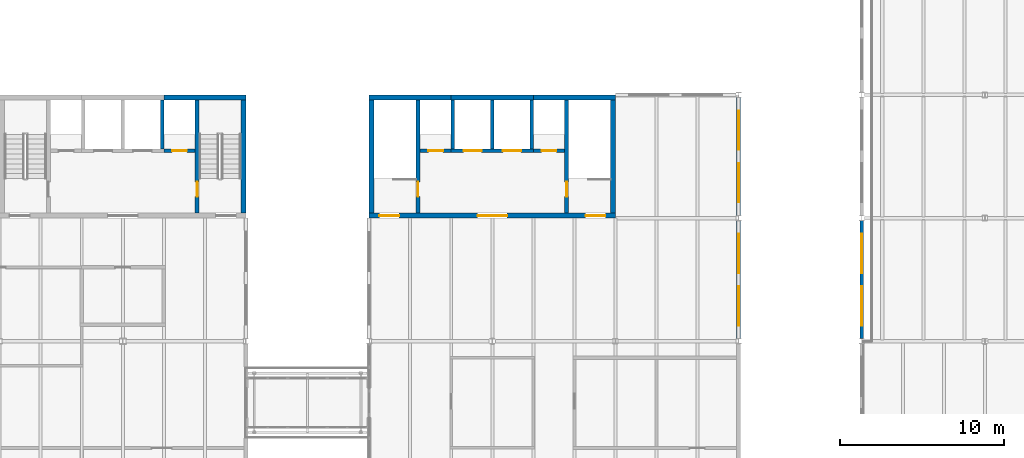
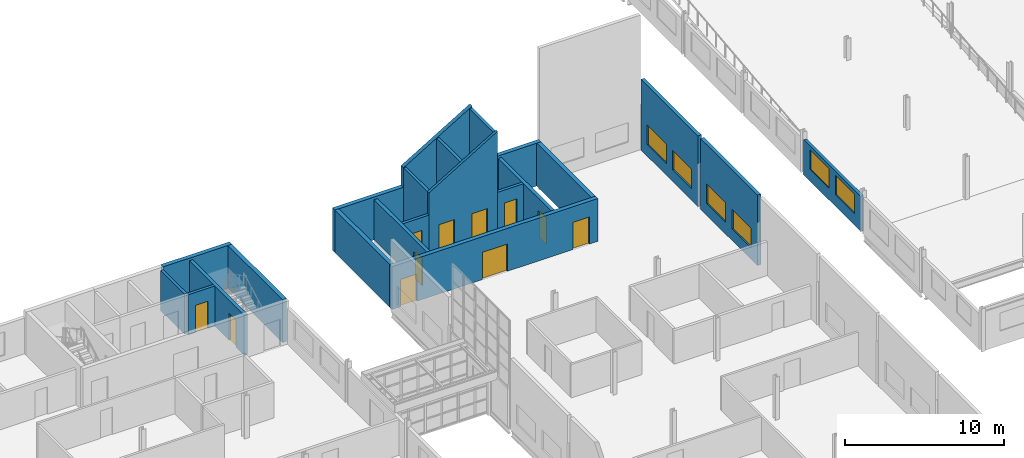
# One storey, part 54 of 198: 22 walls, 11 doors, 6 windows, 17 openings.
"""IFC4 building model written with IfcOpenShell, lengths in metres."""

import ifcopenshell
import ifcopenshell.guid

model = None  # the IFC model being written
_history = None  # IfcOwnerHistory: only IFC2X3 demands one
_inside = {}  # id of a spatial element -> (the spatial element, [elements in it])
_under = {}  # id of a project, library or spatial element -> (it, [spatial elements below it])
_declared = {}  # id of a project -> (the project, [libraries it declares])
_typed = {}  # id of a type object -> (the type object, [elements of that type])
_made_of = {}  # id of a material, layer set ... -> (it, [elements and type objects made of it])


def new_model(schema):
    """Start an empty IFC model of exactly this schema.

    Asked for "IFC4X3", IfcOpenShell would pick the latest addendum, in which some entities
    have other attributes; the version numbers below select the first issue.
    IFC2X3 requires an IfcOwnerHistory on every rooted entity: one is made here for all.
    """
    global model, _history
    if schema == "IFC4X3":
        model = ifcopenshell.file(schema_version=(4, 3, 0, 0))
    else:
        model = ifcopenshell.file(schema=schema)
    _inside.clear()
    _under.clear()
    _declared.clear()
    _typed.clear()
    _made_of.clear()
    _history = None
    if model.schema == "IFC2X3":
        org = make("IfcOrganization", Name="unknown")
        user = make(
            "IfcPersonAndOrganization",
            ThePerson=make("IfcPerson", FamilyName="unknown"),
            TheOrganization=org,
        )
        app = make(
            "IfcApplication",
            ApplicationDeveloper=org,
            Version="unknown",
            ApplicationFullName="unknown",
            ApplicationIdentifier="unknown",
        )
        _history = make(
            "IfcOwnerHistory",
            OwningUser=user,
            OwningApplication=app,
            ChangeAction="ADDED",
            CreationDate=0,
        )
    return model


def make(cls, **values):
    """One entity of the class cls with the attributes given. An attribute that is None is left unset."""
    return model.create_entity(
        cls, **{name: value for name, value in values.items() if value is not None}
    )


def rooted(cls, **values):
    """An entity with a GlobalId (a new one), such as an element, a storey or a relation."""
    return make(cls, GlobalId=ifcopenshell.guid.new(), OwnerHistory=_history, **values)


def si_unit(unit_type, name, prefix=None):
    """IfcSIUnit, for example si_unit("LENGTHUNIT", "METRE", prefix="MILLI")."""
    return make("IfcSIUnit", UnitType=unit_type, Prefix=prefix, Name=name)


def assignment(units):
    """IfcUnitAssignment: the units of a project."""
    return None if units is None else make("IfcUnitAssignment", Units=units)


def point(xyz):
    """IfcCartesianPoint."""
    return None if xyz is None else make("IfcCartesianPoint", Coordinates=xyz)


def direction(xyz):
    """IfcDirection."""
    return None if xyz is None else make("IfcDirection", DirectionRatios=xyz)


def frame(location, z_axis=None, x_axis=None):
    """IfcAxis2Placement3D, a coordinate frame: its origin and axes. An axis left out is left unset."""
    return make(
        "IfcAxis2Placement3D",
        Location=point(location),
        Axis=direction(z_axis),
        RefDirection=direction(x_axis),
    )


def frame_2d(location, x_axis=None):
    """IfcAxis2Placement2D, a coordinate frame in the plane: its origin and x axis."""
    return make(
        "IfcAxis2Placement2D", Location=point(location), RefDirection=direction(x_axis)
    )


def origin():
    """The frame at (0, 0, 0) with its axes left unset."""
    return frame((0.0, 0.0, 0.0))


def place(relative_to, where):
    """IfcLocalPlacement: puts the frame where relative to a parent placement (None: the world)."""
    return make(
        "IfcLocalPlacement", PlacementRelTo=relative_to, RelativePlacement=where
    )


def context(
    kind, dimensions, precision=None, world=None, true_north=None, identifier=None
):
    """IfcGeometricRepresentationContext, for example the 3D "Model" context."""
    return make(
        "IfcGeometricRepresentationContext",
        ContextIdentifier=identifier,
        ContextType=kind,
        CoordinateSpaceDimension=dimensions,
        Precision=precision,
        WorldCoordinateSystem=world,
        TrueNorth=true_north,
    )


def subcontext(parent, identifier, kind, view, scale=None):
    """IfcGeometricRepresentationSubContext, for example "Body" below "Model"."""
    return make(
        "IfcGeometricRepresentationSubContext",
        ContextIdentifier=identifier,
        ContextType=kind,
        ParentContext=parent,
        TargetScale=scale,
        TargetView=view,
    )


def project(units=None, contexts=None):
    """IfcProject with its units and contexts."""
    return rooted(
        "IfcProject",
        Name="project",
        RepresentationContexts=contexts,
        UnitsInContext=assignment(units),
    )


def spatial(cls, under=None, at=None, **own):
    """A site, building, storey or space (cls), placed at a placement, below another one or the project."""
    s = rooted(cls, ObjectPlacement=at, **own)
    if under is not None:
        _under.setdefault(under.id(), (under, []))[1].append(s)
    return s


def polyline(points):
    """IfcPolyline through the points."""
    return make("IfcPolyline", Points=[point(p) for p in points])


def profile(cls, at=None, kind="AREA", **sizes):
    """A parametric profile (cls). Its sizes go by their IFC names, for example OverallWidth=200.0."""
    return make(cls, ProfileType=kind, Position=at, **sizes)


def rectangle(**sizes):
    """IfcRectangleProfileDef."""
    return profile("IfcRectangleProfileDef", **sizes)


def outline(outer, holes=None, kind="AREA"):
    """IfcArbitraryClosedProfileDef: a profile drawn as a closed curve; with holes, ...WithVoids."""
    if holes is None:
        return make("IfcArbitraryClosedProfileDef", ProfileType=kind, OuterCurve=outer)
    return make(
        "IfcArbitraryProfileDefWithVoids",
        ProfileType=kind,
        OuterCurve=outer,
        InnerCurves=holes,
    )


def extrude(swept, where, along, depth):
    """IfcExtrudedAreaSolid: the profile swept, set in the frame where, extruded along a direction by depth."""
    return make(
        "IfcExtrudedAreaSolid",
        SweptArea=swept,
        Position=where,
        ExtrudedDirection=direction(along),
        Depth=depth,
    )


def shape(context_of_items, identifier, shape_type, items):
    """IfcShapeRepresentation: the items that make up one representation, for example the "Body"."""
    return make(
        "IfcShapeRepresentation",
        ContextOfItems=context_of_items,
        RepresentationIdentifier=identifier,
        RepresentationType=shape_type,
        Items=items,
    )


def material(Name=None, Category=None):
    """IfcMaterial."""
    return make("IfcMaterial", Name=Name, Category=Category)


def layer(
    of_material, thickness, ventilated=None, Name=None, Category=None, Priority=None
):
    """IfcMaterialLayer: one layer of a wall or slab, of a material (None: an air gap)."""
    return make(
        "IfcMaterialLayer",
        Material=of_material,
        LayerThickness=thickness,
        IsVentilated=ventilated,
        Name=Name,
        Category=Category,
        Priority=Priority,
    )


def layer_set(layers, Name=None):
    """IfcMaterialLayerSet."""
    return make("IfcMaterialLayerSet", MaterialLayers=layers, LayerSetName=Name)


def made_of(thing, what):
    """Note that an element or type object is made of a material, layer set ...; save() writes the relation."""
    if what is not None:
        _made_of.setdefault(what.id(), (what, []))[1].append(thing)
    return thing


def type_object(cls, material=None, **own):
    """A type object (cls), such as IfcWallType, which elements share."""
    return made_of(rooted(cls, **own), material)


def element(
    cls,
    number,
    at=None,
    inside=None,
    cuts=None,
    type_object=None,
    material=None,
    context=None,
    identifier="Body",
    shape_type=None,
    held_by="IfcProductDefinitionShape",
    body=None,
    shapes=None,
    **own,
):
    """One element of the class cls, such as IfcWall. Its Tag is "e" and its number.

    at: its placement. inside: the storey or other place that contains it. cuts: it is an
    opening in that element (IfcRelVoidsElement). A single representation is given by context,
    identifier, shape_type and body (its items); several are given by shapes. held_by: the class
    of the entity that holds the representations. save() writes the other relations.
    """
    e = rooted(cls, Tag="e%d" % number, ObjectPlacement=at, **own)
    if body is not None:
        shapes = [shape(context, identifier, shape_type, body)]
    if shapes is not None:
        e.Representation = make(held_by, Representations=shapes)
    if inside is not None:
        _inside.setdefault(inside.id(), (inside, []))[1].append(e)
    if cuts is not None:
        rooted(
            "IfcRelVoidsElement", RelatingBuildingElement=cuts, RelatedOpeningElement=e
        )
    if type_object is not None:
        _typed.setdefault(type_object.id(), (type_object, []))[1].append(e)
    return made_of(e, material)


def fill(opening, filler):
    """IfcRelFillsElement: the door or window that sits in an opening."""
    return rooted(
        "IfcRelFillsElement",
        RelatingOpeningElement=opening,
        RelatedBuildingElement=filler,
    )


def aggregate(whole, parts):
    """IfcRelAggregates: a whole, such as a stair, and the parts it consists of."""
    return rooted("IfcRelAggregates", RelatingObject=whole, RelatedObjects=parts)


def save(model, path):
    """Write the relations noted so far, then the file.

    IfcRelAggregates (storeys below a building ...), IfcRelContainedInSpatialStructure (elements
    in a storey), IfcRelDefinesByType, IfcRelAssociatesMaterial and IfcRelDeclares: one each for
    every whole, place, type object, material and project.
    """
    for whole, parts in _under.values():
        aggregate(whole, parts)
    for where, things in _inside.values():
        rooted(
            "IfcRelContainedInSpatialStructure",
            RelatedElements=things,
            RelatingStructure=where,
        )
    for kind, things in _typed.values():
        rooted("IfcRelDefinesByType", RelatedObjects=things, RelatingType=kind)
    for what, things in _made_of.values():
        rooted("IfcRelAssociatesMaterial", RelatedObjects=things, RelatingMaterial=what)
    for by, libraries in _declared.values():
        rooted("IfcRelDeclares", RelatingContext=by, RelatedDefinitions=libraries)
    model.write(path)


model = new_model("IFC4")

# Units and contexts
model_context = context("Model", 3, precision=1e-05, world=origin(), true_north=direction((0.0, 1.0)))
body_context = subcontext(model_context, "Body", "Model", "MODEL_VIEW")
ifc_project = project(units=[si_unit("LENGTHUNIT", "METRE"), si_unit("AREAUNIT", "SQUARE_METRE"), si_unit("VOLUMEUNIT", "CUBIC_METRE"), si_unit("PLANEANGLEUNIT", "RADIAN"), si_unit("MASSUNIT", "GRAM", prefix="KILO")], contexts=[model_context])

# Site, building, storey
site_placement = place(None, origin())
site = spatial("IfcSite", under=ifc_project, at=site_placement, CompositionType="ELEMENT")
building_placement = place(site_placement, origin())
building = spatial("IfcBuilding", under=site, at=building_placement, Name="Parallax Yard Mobility Hub", CompositionType="ELEMENT")
storey_placement = place(building_placement, frame((0.0, 0.0, 6.60009765625)))
storey = spatial("IfcBuildingStorey", under=building, at=storey_placement, Name="L02", CompositionType="ELEMENT", Elevation=6.60009765625)

# Walls
ifc_material_1 = material(Name="Concrete fc' 35 MPa", Category="concrete")
ifc_layer_1 = layer(ifc_material_1, 0.300048828125)
ifc_layer_set_1 = layer_set([ifc_layer_1], Name="Concrete fc' 35 MPa core wall 300")
wall_type_1 = type_object("IfcWallType", Name="Concrete fc' 35 MPa core wall 300", PredefinedType="SHEAR", material=ifc_layer_set_1)
wall_1_placement = place(storey_placement, frame((137.5, 52.35009765625, 0.0), z_axis=(0.0, 0.0, 1.0), x_axis=(1.0, 0.0, 0.0)))
element("IfcWall", 1, at=wall_1_placement, inside=storey, type_object=wall_type_1, Name="Core C6-E back wall part 3 level L02", PredefinedType="SHEAR", context=body_context, shape_type="SweptSolid", body=[
    extrude(rectangle(XDim=5.0, YDim=0.300048828125, at=frame_2d((2.5, 0.0))), origin(), (0.0, 0.0, 1.0), 3.2998046875),
])
wall_2_placement = place(storey_placement, frame((142.35009765625, 52.199951171875, 0.0), z_axis=(0.0, 0.0, 1.0), x_axis=(0.0, -1.0, 0.0)))
element("IfcWall", 2, at=wall_2_placement, inside=storey, type_object=wall_type_1, Name="Core C6-E east-side end wall level L02", PredefinedType="SHEAR", context=body_context, shape_type="SweptSolid", body=[
    extrude(rectangle(XDim=6.89990234375, YDim=0.300048828125, at=frame_2d((3.449951171875, 0.0))), origin(), (0.0, 0.0, 1.0), 3.2998046875),
])

# Wall, openings, doors
wall_3_placement = place(storey_placement, frame((165.0, 45.14990234375, 0.0), z_axis=(0.0, 0.0, 1.0), x_axis=(-1.0, 0.0, 0.0)))
wall_3 = element("IfcWall", 3, at=wall_3_placement, inside=storey, type_object=wall_type_1, Name="Core C5 entry wall level L02", PredefinedType="SHEAR", context=body_context, shape_type="SweptSolid", body=[
    extrude(rectangle(XDim=15.0, YDim=0.300048828125, at=frame_2d((7.5, 0.0))), origin(), (0.0, 0.0, 1.0), 3.2998046875),
])
opening_1_placement = place(wall_3_placement, frame((13.179931640625, 0.0, 0.0)))
opening_1 = element("IfcOpeningElement", 4, at=opening_1_placement, cuts=wall_3, Name="Opening L02-D751", PredefinedType="OPENING", context=body_context, shape_type="SweptSolid", body=[
    extrude(rectangle(XDim=1.199951171875, YDim=2.10009765625, at=frame_2d((0.60009765625, 1.050048828125))), frame((0.0, 0.16015625, 0.0), z_axis=(0.0, -1.0, 0.0), x_axis=(1.0, 0.0, 0.0)), (0.0, 0.0, 1.0), 0.320068359375),
])
opening_2_placement = place(wall_3_placement, frame((0.6201171875, 0.0, 0.0)))
opening_2 = element("IfcOpeningElement", 5, at=opening_2_placement, cuts=wall_3, Name="Opening L02-D752", PredefinedType="OPENING", context=body_context, shape_type="SweptSolid", body=[
    extrude(rectangle(XDim=1.199951171875, YDim=2.10009765625, at=frame_2d((0.60009765625, 1.050048828125))), frame((0.0, 0.16015625, 0.0), z_axis=(0.0, -1.0, 0.0), x_axis=(1.0, 0.0, 0.0)), (0.0, 0.0, 1.0), 0.320068359375),
])
opening_3_placement = place(wall_3_placement, frame((6.60009765625, 0.0, 0.0)))
opening_3 = element("IfcOpeningElement", 6, at=opening_3_placement, cuts=wall_3, Name="Opening L02-D753", PredefinedType="OPENING", context=body_context, shape_type="SweptSolid", body=[
    extrude(rectangle(XDim=1.800048828125, YDim=2.10009765625, at=frame_2d((0.89990234375, 1.050048828125))), frame((0.0, 0.16015625, 0.0), z_axis=(0.0, -1.0, 0.0), x_axis=(1.0, 0.0, 0.0)), (0.0, 0.0, 1.0), 0.320068359375),
])
ifc_material_2 = material(Name="Hollow metal steel door and frame", Category="steel")
door_type_1 = type_object("IfcDoorType", Name="Core door 1200 x 2100 FD90", OperationType="NOTDEFINED", PredefinedType="DOOR", material=ifc_material_2)
door_1_placement = place(opening_1_placement, origin())
door_1 = element("IfcDoor", 7, at=door_1_placement, inside=storey, type_object=door_type_1, Name="Stair deck door L02-D751, core C5 level L02", OperationType="SINGLE_SWING_RIGHT", OverallHeight=2.10009765625, OverallWidth=1.199951171875, PredefinedType="DOOR", context=body_context, shape_type="SweptSolid", body=[
    extrude(rectangle(XDim=1.199951171875, YDim=2.10009765625, at=frame_2d((0.60009765625, 1.050048828125))), frame((0.0, 0.02490234375, 0.0), z_axis=(0.0, -1.0, 0.0), x_axis=(1.0, 0.0, 0.0)), (0.0, 0.0, 1.0), 0.050048828125),
])
fill(opening_1, door_1)
door_2_placement = place(opening_2_placement, origin())
door_2 = element("IfcDoor", 8, at=door_2_placement, inside=storey, type_object=door_type_1, Name="Stair deck door L02-D752, core C5 level L02", OperationType="SINGLE_SWING_LEFT", OverallHeight=2.10009765625, OverallWidth=1.199951171875, PredefinedType="DOOR", context=body_context, shape_type="SweptSolid", body=[
    extrude(rectangle(XDim=1.199951171875, YDim=2.10009765625, at=frame_2d((0.60009765625, 1.050048828125))), frame((0.0, 0.02490234375, 0.0), z_axis=(0.0, -1.0, 0.0), x_axis=(1.0, 0.0, 0.0)), (0.0, 0.0, 1.0), 0.050048828125),
])
fill(opening_2, door_2)
door_type_2 = type_object("IfcDoorType", Name="Core double door 1800 x 2100 FD90", OperationType="NOTDEFINED", PredefinedType="DOOR", material=ifc_material_2)
door_3_placement = place(opening_3_placement, origin())
door_3 = element("IfcDoor", 9, at=door_3_placement, inside=storey, type_object=door_type_2, Name="Lift lobby door L02-D753, core C5 level L02", OperationType="DOUBLE_DOOR_SINGLE_SWING", OverallHeight=2.10009765625, OverallWidth=1.800048828125, PredefinedType="DOOR", context=body_context, shape_type="SweptSolid", body=[
    extrude(rectangle(XDim=1.800048828125, YDim=2.10009765625, at=frame_2d((0.89990234375, 1.050048828125))), frame((0.0, 0.02490234375, 0.0), z_axis=(0.0, -1.0, 0.0), x_axis=(1.0, 0.0, 0.0)), (0.0, 0.0, 1.0), 0.050048828125),
])
fill(opening_3, door_3)

# Walls
wall_4_placement = place(storey_placement, frame((150.0, 52.35009765625, 0.0), z_axis=(0.0, 0.0, 1.0), x_axis=(1.0, 0.0, 0.0)))
element("IfcWall", 10, at=wall_4_placement, inside=storey, type_object=wall_type_1, Name="Core C5 back wall part 1 level L02", PredefinedType="SHEAR", context=body_context, shape_type="SweptSolid", body=[
    extrude(rectangle(XDim=5.0, YDim=0.300048828125, at=frame_2d((2.5, 0.0))), origin(), (0.0, 0.0, 1.0), 3.2998046875),
])
wall_5_placement = place(storey_placement, frame((155.0, 52.35009765625, 0.0), z_axis=(0.0, 0.0, 1.0), x_axis=(1.0, 0.0, 0.0)))
element("IfcWall", 11, at=wall_5_placement, inside=storey, type_object=wall_type_1, Name="Core C5 back wall part 2 level L02", PredefinedType="SHEAR", context=body_context, shape_type="SweptSolid", body=[
    extrude(outline(polyline([(0.0, 0.0), (5.0, 0.0), (5.0, 7.7998046875), (0.0, 4.7998046875), (0.0, 0.0)])), frame((0.0, 0.14990234375, 0.0), z_axis=(0.0, -1.0, 0.0), x_axis=(1.0, 0.0, 0.0)), (0.0, 0.0, 1.0), 0.300048828125),
])
wall_6_placement = place(storey_placement, frame((160.0, 52.35009765625, 0.0), z_axis=(0.0, 0.0, 1.0), x_axis=(1.0, 0.0, 0.0)))
element("IfcWall", 12, at=wall_6_placement, inside=storey, type_object=wall_type_1, Name="Core C5 back wall part 3 level L02", PredefinedType="SHEAR", context=body_context, shape_type="SweptSolid", body=[
    extrude(rectangle(XDim=5.0, YDim=0.300048828125, at=frame_2d((2.5, 0.0))), origin(), (0.0, 0.0, 1.0), 3.2998046875),
])
for number, where, z_axis, x_axis, name in (
    (13, (150.14990234375, 45.300048828125, 0.0), (0.0, 0.0, 1.0), (0.0, 1.0, 0.0), "Core C5 west-side end wall level L02"),
    (14, (164.85009765625, 45.300048828125, 0.0), (0.0, 0.0, 1.0), (0.0, 1.0, 0.0), "Core C5 east-side end wall level L02"),
):
    element("IfcWall", number, at=place(storey_placement, frame(where, z_axis=z_axis, x_axis=x_axis)), inside=storey, type_object=wall_type_1, Name=name, PredefinedType="SHEAR", context=body_context, shape_type="SweptSolid", body=[
        extrude(outline(polyline([(0.0, 0.0), (6.89990234375, 0.0), (6.89990234375, 3.2998046875), (0.0, 3.2998046875), (0.0, 0.0)])), frame((0.0, 0.14990234375, 0.0), z_axis=(0.0, -1.0, 0.0), x_axis=(1.0, 0.0, 0.0)), (0.0, 0.0, 1.0), 0.300048828125),
    ])

# Wall, opening, door
ifc_layer_2 = layer(ifc_material_1, 0.199951171875)
ifc_layer_set_2 = layer_set([ifc_layer_2], Name="Concrete fc' 35 MPa internal core wall 200")
wall_type_2 = type_object("IfcWallType", Name="Concrete fc' 35 MPa internal core wall 200", PredefinedType="STANDARD", material=ifc_layer_set_2)
wall_7_placement = place(storey_placement, frame((139.39990234375, 49.10009765625, 0.0), z_axis=(0.0, 0.0, 1.0), x_axis=(-1.0, 0.0, 0.0)))
wall_7 = element("IfcWall", 15, at=wall_7_placement, inside=storey, type_object=wall_type_2, Name="Core C6-E lift front 3 part 3 level L02", PredefinedType="STANDARD", context=body_context, shape_type="SweptSolid", body=[
    extrude(rectangle(XDim=1.89990234375, YDim=0.199951171875, at=frame_2d((0.949951171875, 0.0))), origin(), (0.0, 0.0, 1.0), 3.099853515625),
])
opening_4_placement = place(wall_7_placement, frame((0.5, 0.0, 0.0)))
opening_4 = element("IfcOpeningElement", 16, at=opening_4_placement, cuts=wall_7, Name="Opening L02-D750", PredefinedType="OPENING", context=body_context, shape_type="SweptSolid", body=[
    extrude(rectangle(XDim=0.89990234375, YDim=2.10009765625, at=frame_2d((0.449951171875, 1.050048828125))), frame((0.0, 0.10986328125, 0.0), z_axis=(0.0, -1.0, 0.0), x_axis=(1.0, 0.0, 0.0)), (0.0, 0.0, 1.0), 0.219970703125),
])
door_type_3 = type_object("IfcDoorType", Name="Riser door 900 x 2100 FD90", OperationType="NOTDEFINED", PredefinedType="DOOR", material=ifc_material_2)
door_4_placement = place(opening_4_placement, origin())
door_4 = element("IfcDoor", 17, at=door_4_placement, inside=storey, type_object=door_type_3, Name="Riser door L02-D750, core C6-E level L02", OperationType="SINGLE_SWING_LEFT", OverallHeight=2.10009765625, OverallWidth=0.89990234375, PredefinedType="DOOR", context=body_context, shape_type="SweptSolid", body=[
    extrude(rectangle(XDim=0.89990234375, YDim=2.10009765625, at=frame_2d((0.449951171875, 1.050048828125))), frame((0.0, 0.02490234375, 0.0), z_axis=(0.0, -1.0, 0.0), x_axis=(1.0, 0.0, 0.0)), (0.0, 0.0, 1.0), 0.050048828125),
])
fill(opening_4, door_4)

# Wall
wall_8_placement = place(storey_placement, frame((137.39990234375, 49.199951171875, 0.0), z_axis=(0.0, 0.0, 1.0), x_axis=(0.0, 1.0, 0.0)))
element("IfcWall", 18, at=wall_8_placement, inside=storey, type_object=wall_type_2, Name="Core C6-E lift wall 3 part 3 level L02", PredefinedType="STANDARD", context=body_context, shape_type="SweptSolid", body=[
    extrude(rectangle(XDim=3.0, YDim=0.199951171875, at=frame_2d((1.5, 0.0))), origin(), (0.0, 0.0, 1.0), 3.099853515625),
])

# Wall, opening, door
wall_9_placement = place(storey_placement, frame((155.0, 49.10009765625, 0.0), z_axis=(0.0, 0.0, 1.0), x_axis=(-1.0, 0.0, 0.0)))
wall_9 = element("IfcWall", 19, at=wall_9_placement, inside=storey, type_object=wall_type_2, Name="Core C5 lift front 1 part 1 level L02", PredefinedType="STANDARD", context=body_context, shape_type="SweptSolid", body=[
    extrude(rectangle(XDim=1.89990234375, YDim=0.199951171875, at=frame_2d((0.949951171875, 0.0))), origin(), (0.0, 0.0, 1.0), 3.099853515625),
])
opening_5_placement = place(wall_9_placement, frame((0.5, 0.0, 0.0)))
opening_5 = element("IfcOpeningElement", 20, at=opening_5_placement, cuts=wall_9, Name="Opening L02-D758", PredefinedType="OPENING", context=body_context, shape_type="SweptSolid", body=[
    extrude(rectangle(XDim=0.89990234375, YDim=2.10009765625, at=frame_2d((0.449951171875, 1.050048828125))), frame((0.0, 0.10986328125, 0.0), z_axis=(0.0, -1.0, 0.0), x_axis=(1.0, 0.0, 0.0)), (0.0, 0.0, 1.0), 0.219970703125),
])
door_5_placement = place(opening_5_placement, origin())
door_5 = element("IfcDoor", 21, at=door_5_placement, inside=storey, type_object=door_type_3, Name="Riser door L02-D758, core C5 level L02", OperationType="SINGLE_SWING_RIGHT", OverallHeight=2.10009765625, OverallWidth=0.89990234375, PredefinedType="DOOR", context=body_context, shape_type="SweptSolid", body=[
    extrude(rectangle(XDim=0.89990234375, YDim=2.10009765625, at=frame_2d((0.449951171875, 1.050048828125))), frame((0.0, 0.02490234375, 0.0), z_axis=(0.0, -1.0, 0.0), x_axis=(1.0, 0.0, 0.0)), (0.0, 0.0, 1.0), 0.050048828125),
])
fill(opening_5, door_5)

# Wall, openings, doors
wall_10_placement = place(storey_placement, frame((155.0, 49.10009765625, 0.0), z_axis=(0.0, 0.0, 1.0), x_axis=(1.0, 0.0, 0.0)))
wall_10 = element("IfcWall", 22, at=wall_10_placement, inside=storey, type_object=wall_type_2, Name="Core C5 lift front 2 part 2 level L02", PredefinedType="STANDARD", context=body_context, shape_type="SweptSolid", body=[
    extrude(outline(polyline([(0.0, 0.0), (5.0, 0.0), (5.0, 7.7998046875), (0.0, 4.7998046875), (0.0, 0.0)])), frame((0.0, 0.10009765625, 0.0), z_axis=(0.0, -1.0, 0.0), x_axis=(1.0, 0.0, 0.0)), (0.0, 0.0, 1.0), 0.199951171875),
])
opening_6_placement = place(wall_10_placement, frame((0.75, 0.0, 0.0)))
opening_6 = element("IfcOpeningElement", 23, at=opening_6_placement, cuts=wall_10, Name="Opening L02-D756", PredefinedType="OPENING", context=body_context, shape_type="SweptSolid", body=[
    extrude(rectangle(XDim=1.10009765625, YDim=2.10009765625, at=frame_2d((0.550048828125, 1.050048828125))), frame((0.0, 0.10986328125, 0.0), z_axis=(0.0, -1.0, 0.0), x_axis=(1.0, 0.0, 0.0)), (0.0, 0.0, 1.0), 0.219970703125),
])
opening_7_placement = place(wall_10_placement, frame((3.14990234375, 0.0, 0.0)))
opening_7 = element("IfcOpeningElement", 24, at=opening_7_placement, cuts=wall_10, Name="Opening L02-D757", PredefinedType="OPENING", context=body_context, shape_type="SweptSolid", body=[
    extrude(rectangle(XDim=1.10009765625, YDim=2.10009765625, at=frame_2d((0.550048828125, 1.050048828125))), frame((0.0, 0.10986328125, 0.0), z_axis=(0.0, -1.0, 0.0), x_axis=(1.0, 0.0, 0.0)), (0.0, 0.0, 1.0), 0.219970703125),
])
ifc_material_3 = material(Name="Stainless steel sliding door and frame", Category="steel")
door_type_4 = type_object("IfcDoorType", Name="Lift landing door 1100 x 2100 FD90", OperationType="DOUBLE_DOOR_SLIDING", PredefinedType="DOOR", material=ifc_material_3)
door_6_placement = place(opening_6_placement, origin())
door_6 = element("IfcDoor", 25, at=door_6_placement, inside=storey, type_object=door_type_4, Name="Lift landing door L02-D756, core C5 level L02", OperationType="DOUBLE_DOOR_SLIDING", OverallHeight=2.10009765625, OverallWidth=1.10009765625, PredefinedType="DOOR", context=body_context, shape_type="SweptSolid", body=[
    extrude(rectangle(XDim=1.10009765625, YDim=2.10009765625, at=frame_2d((0.550048828125, 1.050048828125))), frame((0.0, 0.02490234375, 0.0), z_axis=(0.0, -1.0, 0.0), x_axis=(1.0, 0.0, 0.0)), (0.0, 0.0, 1.0), 0.050048828125),
])
fill(opening_6, door_6)
door_7_placement = place(opening_7_placement, origin())
door_7 = element("IfcDoor", 26, at=door_7_placement, inside=storey, type_object=door_type_4, Name="Lift landing door L02-D757, core C5 level L02", OperationType="DOUBLE_DOOR_SLIDING", OverallHeight=2.10009765625, OverallWidth=1.10009765625, PredefinedType="DOOR", context=body_context, shape_type="SweptSolid", body=[
    extrude(rectangle(XDim=1.10009765625, YDim=2.10009765625, at=frame_2d((0.550048828125, 1.050048828125))), frame((0.0, 0.02490234375, 0.0), z_axis=(0.0, -1.0, 0.0), x_axis=(1.0, 0.0, 0.0)), (0.0, 0.0, 1.0), 0.050048828125),
])
fill(opening_7, door_7)

# Wall, opening, door
wall_11_placement = place(storey_placement, frame((161.89990234375, 49.10009765625, 0.0), z_axis=(0.0, 0.0, 1.0), x_axis=(-1.0, 0.0, 0.0)))
wall_11 = element("IfcWall", 27, at=wall_11_placement, inside=storey, type_object=wall_type_2, Name="Core C5 lift front 3 part 3 level L02", PredefinedType="STANDARD", context=body_context, shape_type="SweptSolid", body=[
    extrude(rectangle(XDim=1.89990234375, YDim=0.199951171875, at=frame_2d((0.949951171875, 0.0))), origin(), (0.0, 0.0, 1.0), 3.099853515625),
])
opening_8_placement = place(wall_11_placement, frame((0.5, 0.0, 0.0)))
opening_8 = element("IfcOpeningElement", 28, at=opening_8_placement, cuts=wall_11, Name="Opening L02-D759", PredefinedType="OPENING", context=body_context, shape_type="SweptSolid", body=[
    extrude(rectangle(XDim=0.89990234375, YDim=2.10009765625, at=frame_2d((0.449951171875, 1.050048828125))), frame((0.0, 0.10986328125, 0.0), z_axis=(0.0, -1.0, 0.0), x_axis=(1.0, 0.0, 0.0)), (0.0, 0.0, 1.0), 0.219970703125),
])
door_8_placement = place(opening_8_placement, origin())
door_8 = element("IfcDoor", 29, at=door_8_placement, inside=storey, type_object=door_type_3, Name="Riser door L02-D759, core C5 level L02", OperationType="SINGLE_SWING_LEFT", OverallHeight=2.10009765625, OverallWidth=0.89990234375, PredefinedType="DOOR", context=body_context, shape_type="SweptSolid", body=[
    extrude(rectangle(XDim=0.89990234375, YDim=2.10009765625, at=frame_2d((0.449951171875, 1.050048828125))), frame((0.0, 0.02490234375, 0.0), z_axis=(0.0, -1.0, 0.0), x_axis=(1.0, 0.0, 0.0)), (0.0, 0.0, 1.0), 0.050048828125),
])
fill(opening_8, door_8)

# Walls
wall_12_placement = place(storey_placement, frame((155.10009765625, 49.199951171875, 0.0), z_axis=(0.0, 0.0, 1.0), x_axis=(0.0, 1.0, 0.0)))
element("IfcWall", 30, at=wall_12_placement, inside=storey, type_object=wall_type_2, Name="Core C5 lift wall 1 part 1 level L02", PredefinedType="STANDARD", context=body_context, shape_type="SweptSolid", body=[
    extrude(rectangle(XDim=3.0, YDim=0.199951171875, at=frame_2d((1.5, 0.0))), origin(), (0.0, 0.0, 1.0), 4.7998046875),
])
wall_13_placement = place(storey_placement, frame((157.5, 49.199951171875, 0.0), z_axis=(0.0, 0.0, 1.0), x_axis=(0.0, 1.0, 0.0)))
element("IfcWall", 31, at=wall_13_placement, inside=storey, type_object=wall_type_2, Name="Core C5 lift wall 2 part 2 level L02", PredefinedType="STANDARD", context=body_context, shape_type="SweptSolid", body=[
    extrude(rectangle(XDim=3.0, YDim=0.199951171875, at=frame_2d((1.5, 0.0))), origin(), (0.0, 0.0, 1.0), 6.239990234375),
])
wall_14_placement = place(storey_placement, frame((159.89990234375, 49.199951171875, 0.0), z_axis=(0.0, 0.0, 1.0), x_axis=(0.0, 1.0, 0.0)))
element("IfcWall", 32, at=wall_14_placement, inside=storey, type_object=wall_type_2, Name="Core C5 lift wall 3 part 3 level L02", PredefinedType="STANDARD", context=body_context, shape_type="SweptSolid", body=[
    extrude(rectangle(XDim=3.0, YDim=0.199951171875, at=frame_2d((1.5, 0.0))), origin(), (0.0, 0.0, 1.0), 7.679931640625),
])

# Wall, opening, door
ifc_layer_3 = layer(ifc_material_1, 0.25)
ifc_layer_set_3 = layer_set([ifc_layer_3], Name="Concrete fc' 35 MPa stair enclosure wall 250")
wall_type_3 = type_object("IfcWallType", Name="Concrete fc' 35 MPa stair enclosure wall 250", PredefinedType="STANDARD", material=ifc_layer_set_3)
wall_15_placement = place(storey_placement, frame((139.52490234375, 52.199951171875, 0.0), z_axis=(0.0, 0.0, 1.0), x_axis=(0.0, -1.0, 0.0)))
wall_15 = element("IfcWall", 33, at=wall_15_placement, inside=storey, type_object=wall_type_3, Name="Core C6-E stair 2 partition level L02", PredefinedType="STANDARD", context=body_context, shape_type="SweptSolid", body=[
    extrude(rectangle(XDim=6.89990234375, YDim=0.25, at=frame_2d((3.449951171875, 0.0))), origin(), (0.0, 0.0, 1.0), 3.099853515625),
])
opening_9_placement = place(wall_15_placement, frame((5.0, 0.0, 0.0)))
opening_9 = element("IfcOpeningElement", 34, at=opening_9_placement, cuts=wall_15, Name="Opening L02-D746", PredefinedType="OPENING", context=body_context, shape_type="SweptSolid", body=[
    extrude(rectangle(XDim=0.89990234375, YDim=2.10009765625, at=frame_2d((0.449951171875, 1.050048828125))), frame((0.0, 0.135009765625, 0.0), z_axis=(0.0, -1.0, 0.0), x_axis=(1.0, 0.0, 0.0)), (0.0, 0.0, 1.0), 0.27001953125),
])
door_type_5 = type_object("IfcDoorType", Name="Core door 900 x 2100 FD90", OperationType="NOTDEFINED", PredefinedType="DOOR", material=ifc_material_2)
door_9_placement = place(opening_9_placement, origin())
door_9 = element("IfcDoor", 35, at=door_9_placement, inside=storey, type_object=door_type_5, Name="Stair lobby door L02-D746, core C6-E level L02", OperationType="SINGLE_SWING_RIGHT", OverallHeight=2.10009765625, OverallWidth=0.89990234375, PredefinedType="DOOR", context=body_context, shape_type="SweptSolid", body=[
    extrude(rectangle(XDim=0.89990234375, YDim=2.10009765625, at=frame_2d((0.449951171875, 1.050048828125))), frame((0.0, 0.02490234375, 0.0), z_axis=(0.0, -1.0, 0.0), x_axis=(1.0, 0.0, 0.0)), (0.0, 0.0, 1.0), 0.050048828125),
])
fill(opening_9, door_9)

wall_16_placement = place(storey_placement, frame((152.97509765625, 45.300048828125, 0.0), z_axis=(0.0, 0.0, 1.0), x_axis=(0.0, 1.0, 0.0)))
wall_16 = element("IfcWall", 36, at=wall_16_placement, inside=storey, type_object=wall_type_3, Name="Core C5 stair 1 partition level L02", PredefinedType="STANDARD", context=body_context, shape_type="SweptSolid", body=[
    extrude(outline(polyline([(0.0, 0.0), (6.89990234375, 0.0), (6.89990234375, 3.099853515625), (0.0, 3.099853515625), (0.0, 0.0)])), frame((0.0, 0.125, 0.0), z_axis=(0.0, -1.0, 0.0), x_axis=(1.0, 0.0, 0.0)), (0.0, 0.0, 1.0), 0.25),
])
opening_10_placement = place(wall_16_placement, frame((1.0, 0.0, 0.0)))
opening_10 = element("IfcOpeningElement", 37, at=opening_10_placement, cuts=wall_16, Name="Opening L02-D754", PredefinedType="OPENING", context=body_context, shape_type="SweptSolid", body=[
    extrude(rectangle(XDim=0.89990234375, YDim=2.10009765625, at=frame_2d((0.449951171875, 1.050048828125))), frame((0.0, 0.135009765625, 0.0), z_axis=(0.0, -1.0, 0.0), x_axis=(1.0, 0.0, 0.0)), (0.0, 0.0, 1.0), 0.27001953125),
])
door_10_placement = place(opening_10_placement, origin())
door_10 = element("IfcDoor", 38, at=door_10_placement, inside=storey, type_object=door_type_5, Name="Stair lobby door L02-D754, core C5 level L02", OperationType="SINGLE_SWING_LEFT", OverallHeight=2.10009765625, OverallWidth=0.89990234375, PredefinedType="DOOR", context=body_context, shape_type="SweptSolid", body=[
    extrude(rectangle(XDim=0.89990234375, YDim=2.10009765625, at=frame_2d((0.449951171875, 1.050048828125))), frame((0.0, 0.02490234375, 0.0), z_axis=(0.0, -1.0, 0.0), x_axis=(1.0, 0.0, 0.0)), (0.0, 0.0, 1.0), 0.050048828125),
])
fill(opening_10, door_10)

wall_17_placement = place(storey_placement, frame((162.02490234375, 52.199951171875, 0.0), z_axis=(0.0, 0.0, 1.0), x_axis=(0.0, -1.0, 0.0)))
wall_17 = element("IfcWall", 39, at=wall_17_placement, inside=storey, type_object=wall_type_3, Name="Core C5 stair 2 partition level L02", PredefinedType="STANDARD", context=body_context, shape_type="SweptSolid", body=[
    extrude(outline(polyline([(0.0, 0.0), (6.89990234375, 0.0), (6.89990234375, 3.099853515625), (0.0, 3.099853515625), (0.0, 0.0)])), frame((0.0, 0.125, 0.0), z_axis=(0.0, -1.0, 0.0), x_axis=(1.0, 0.0, 0.0)), (0.0, 0.0, 1.0), 0.25),
])
opening_11_placement = place(wall_17_placement, frame((5.0, 0.0, 0.0)))
opening_11 = element("IfcOpeningElement", 40, at=opening_11_placement, cuts=wall_17, Name="Opening L02-D755", PredefinedType="OPENING", context=body_context, shape_type="SweptSolid", body=[
    extrude(rectangle(XDim=0.89990234375, YDim=2.10009765625, at=frame_2d((0.449951171875, 1.050048828125))), frame((0.0, 0.135009765625, 0.0), z_axis=(0.0, -1.0, 0.0), x_axis=(1.0, 0.0, 0.0)), (0.0, 0.0, 1.0), 0.27001953125),
])
door_11_placement = place(opening_11_placement, origin())
door_11 = element("IfcDoor", 41, at=door_11_placement, inside=storey, type_object=door_type_5, Name="Stair lobby door L02-D755, core C5 level L02", OperationType="SINGLE_SWING_RIGHT", OverallHeight=2.10009765625, OverallWidth=0.89990234375, PredefinedType="DOOR", context=body_context, shape_type="SweptSolid", body=[
    extrude(rectangle(XDim=0.89990234375, YDim=2.10009765625, at=frame_2d((0.449951171875, 1.050048828125))), frame((0.0, 0.02490234375, 0.0), z_axis=(0.0, -1.0, 0.0), x_axis=(1.0, 0.0, 0.0)), (0.0, 0.0, 1.0), 0.050048828125),
])
fill(opening_11, door_11)

# Wall, openings, windows
ifc_layer_4 = layer(ifc_material_1, 0.25)
ifc_layer_set_4 = layer_set([ifc_layer_4], Name="Exterior wall, Concrete fc' 35 MPa precast, 250 with insulation lining")
wall_type_4 = type_object("IfcWallType", Name="Exterior wall, Concrete fc' 35 MPa precast, 250 with insulation lining", PredefinedType="SOLIDWALL", material=ifc_layer_set_4)
wall_18_placement = place(storey_placement, frame((172.5, 37.653564453125, 0.0), z_axis=(0.0, 0.0, 1.0), x_axis=(0.0, 1.0, 0.0)))
wall_18 = element("IfcWall", 42, at=wall_18_placement, inside=storey, type_object=wall_type_4, Name="Bicycle and shared-mobility hall east wall bay 5 level L02", PredefinedType="SOLIDWALL", context=body_context, shape_type="SweptSolid", body=[
    extrude(rectangle(XDim=7.19287109375, YDim=0.25, at=frame_2d((3.596435546875, 0.0))), origin(), (0.0, 0.0, 1.0), 5.4404296875),
])
opening_12_placement = place(wall_18_placement, frame((0.797607421875, 0.0, 0.89990234375)))
opening_12 = element("IfcOpeningElement", 43, at=opening_12_placement, cuts=wall_18, Name="Opening W1", PredefinedType="OPENING", context=body_context, shape_type="SweptSolid", body=[
    extrude(rectangle(XDim=2.39990234375, YDim=1.5, at=frame_2d((1.199951171875, 0.75))), frame((0.0, 0.135009765625, 0.0), z_axis=(0.0, -1.0, 0.0), x_axis=(1.0, 0.0, 0.0)), (0.0, 0.0, 1.0), 0.27001953125),
])
opening_13_placement = place(wall_18_placement, frame((3.995361328125, 0.0, 0.89990234375)))
opening_13 = element("IfcOpeningElement", 44, at=opening_13_placement, cuts=wall_18, Name="Opening W1", PredefinedType="OPENING", context=body_context, shape_type="SweptSolid", body=[
    extrude(rectangle(XDim=2.39990234375, YDim=1.5, at=frame_2d((1.199951171875, 0.75))), frame((0.0, 0.135009765625, 0.0), z_axis=(0.0, -1.0, 0.0), x_axis=(1.0, 0.0, 0.0)), (0.0, 0.0, 1.0), 0.27001953125),
])
ifc_material_4 = material(Name="Double glazed low-E unit in thermally broken aluminium frame", Category="aluminium")
window_type = type_object("IfcWindowType", Name="Window 2400 x 1500", PartitioningType="DOUBLE_PANEL_VERTICAL", PredefinedType="WINDOW", material=ifc_material_4)
window_1_placement = place(opening_12_placement, origin())
window_1 = element("IfcWindow", 45, at=window_1_placement, inside=storey, type_object=window_type, Name="Window W1 level L02", OverallHeight=1.5, OverallWidth=2.39990234375, PartitioningType="DOUBLE_PANEL_VERTICAL", PredefinedType="WINDOW", context=body_context, shape_type="SweptSolid", body=[
    extrude(rectangle(XDim=2.39990234375, YDim=1.5, at=frame_2d((1.199951171875, 0.75))), frame((0.0, 0.030029296875, 0.0), z_axis=(0.0, -1.0, 0.0), x_axis=(1.0, 0.0, 0.0)), (0.0, 0.0, 1.0), 0.06005859375),
])
fill(opening_12, window_1)
window_2_placement = place(opening_13_placement, origin())
window_2 = element("IfcWindow", 46, at=window_2_placement, inside=storey, type_object=window_type, Name="Window W1 level L02", OverallHeight=1.5, OverallWidth=2.39990234375, PartitioningType="DOUBLE_PANEL_VERTICAL", PredefinedType="WINDOW", context=body_context, shape_type="SweptSolid", body=[
    extrude(rectangle(XDim=2.39990234375, YDim=1.5, at=frame_2d((1.199951171875, 0.75))), frame((0.0, 0.030029296875, 0.0), z_axis=(0.0, -1.0, 0.0), x_axis=(1.0, 0.0, 0.0)), (0.0, 0.0, 1.0), 0.06005859375),
])
fill(opening_13, window_2)

wall_19_placement = place(storey_placement, frame((172.5, 45.153564453125, 0.0), z_axis=(0.0, 0.0, 1.0), x_axis=(0.0, 1.0, 0.0)))
wall_19 = element("IfcWall", 47, at=wall_19_placement, inside=storey, type_object=wall_type_4, Name="Bicycle and shared-mobility hall east wall bay 6 level L02", PredefinedType="SOLIDWALL", context=body_context, shape_type="SweptSolid", body=[
    extrude(rectangle(XDim=7.19287109375, YDim=0.25, at=frame_2d((3.596435546875, 0.0))), origin(), (0.0, 0.0, 1.0), 5.4404296875),
])
opening_14_placement = place(wall_19_placement, frame((0.797607421875, 0.0, 0.89990234375)))
opening_14 = element("IfcOpeningElement", 48, at=opening_14_placement, cuts=wall_19, Name="Opening W1", PredefinedType="OPENING", context=body_context, shape_type="SweptSolid", body=[
    extrude(rectangle(XDim=2.39990234375, YDim=1.5, at=frame_2d((1.199951171875, 0.75))), frame((0.0, 0.135009765625, 0.0), z_axis=(0.0, -1.0, 0.0), x_axis=(1.0, 0.0, 0.0)), (0.0, 0.0, 1.0), 0.27001953125),
])
opening_15_placement = place(wall_19_placement, frame((3.995361328125, 0.0, 0.89990234375)))
opening_15 = element("IfcOpeningElement", 49, at=opening_15_placement, cuts=wall_19, Name="Opening W1", PredefinedType="OPENING", context=body_context, shape_type="SweptSolid", body=[
    extrude(rectangle(XDim=2.39990234375, YDim=1.5, at=frame_2d((1.199951171875, 0.75))), frame((0.0, 0.135009765625, 0.0), z_axis=(0.0, -1.0, 0.0), x_axis=(1.0, 0.0, 0.0)), (0.0, 0.0, 1.0), 0.27001953125),
])
window_3_placement = place(opening_14_placement, origin())
window_3 = element("IfcWindow", 50, at=window_3_placement, inside=storey, type_object=window_type, Name="Window W1 level L02", OverallHeight=1.5, OverallWidth=2.39990234375, PartitioningType="DOUBLE_PANEL_VERTICAL", PredefinedType="WINDOW", context=body_context, shape_type="SweptSolid", body=[
    extrude(rectangle(XDim=2.39990234375, YDim=1.5, at=frame_2d((1.199951171875, 0.75))), frame((0.0, 0.030029296875, 0.0), z_axis=(0.0, -1.0, 0.0), x_axis=(1.0, 0.0, 0.0)), (0.0, 0.0, 1.0), 0.06005859375),
])
fill(opening_14, window_3)
window_4_placement = place(opening_15_placement, origin())
window_4 = element("IfcWindow", 51, at=window_4_placement, inside=storey, type_object=window_type, Name="Window W1 level L02", OverallHeight=1.5, OverallWidth=2.39990234375, PartitioningType="DOUBLE_PANEL_VERTICAL", PredefinedType="WINDOW", context=body_context, shape_type="SweptSolid", body=[
    extrude(rectangle(XDim=2.39990234375, YDim=1.5, at=frame_2d((1.199951171875, 0.75))), frame((0.0, 0.030029296875, 0.0), z_axis=(0.0, -1.0, 0.0), x_axis=(1.0, 0.0, 0.0)), (0.0, 0.0, 1.0), 0.06005859375),
])
fill(opening_15, window_4)

ifc_layer_5 = layer(ifc_material_1, 0.199951171875)
ifc_layer_set_5 = layer_set([ifc_layer_5], Name="Louvre screen wall, Concrete fc' 35 MPa precast, 200")
wall_type_5 = type_object("IfcWallType", Name="Louvre screen wall, Concrete fc' 35 MPa precast, 200", PredefinedType="SOLIDWALL", material=ifc_layer_set_5)
wall_20_placement = place(storey_placement, frame((180.0, 37.653564453125, 0.0), z_axis=(0.0, 0.0, 1.0), x_axis=(0.0, 1.0, 0.0)))
wall_20 = element("IfcWall", 52, at=wall_20_placement, inside=storey, type_object=wall_type_5, Name="Ramp house west wall bay 3 level L02", PredefinedType="SOLIDWALL", context=body_context, shape_type="SweptSolid", body=[
    extrude(rectangle(XDim=7.19287109375, YDim=0.199951171875, at=frame_2d((3.596435546875, 0.0))), origin(), (0.0, 0.0, 1.0), 2.7099609375),
])
opening_16_placement = place(wall_20_placement, frame((0.797607421875, 0.0, 0.89990234375)))
opening_16 = element("IfcOpeningElement", 53, at=opening_16_placement, cuts=wall_20, Name="Opening W1", PredefinedType="OPENING", context=body_context, shape_type="SweptSolid", body=[
    extrude(rectangle(XDim=2.39990234375, YDim=1.5, at=frame_2d((1.199951171875, 0.75))), frame((0.0, 0.10986328125, 0.0), z_axis=(0.0, -1.0, 0.0), x_axis=(1.0, 0.0, 0.0)), (0.0, 0.0, 1.0), 0.219970703125),
])
opening_17_placement = place(wall_20_placement, frame((3.995361328125, 0.0, 0.89990234375)))
opening_17 = element("IfcOpeningElement", 54, at=opening_17_placement, cuts=wall_20, Name="Opening W1", PredefinedType="OPENING", context=body_context, shape_type="SweptSolid", body=[
    extrude(rectangle(XDim=2.39990234375, YDim=1.5, at=frame_2d((1.199951171875, 0.75))), frame((0.0, 0.10986328125, 0.0), z_axis=(0.0, -1.0, 0.0), x_axis=(1.0, 0.0, 0.0)), (0.0, 0.0, 1.0), 0.219970703125),
])
window_5_placement = place(opening_16_placement, origin())
window_5 = element("IfcWindow", 55, at=window_5_placement, inside=storey, type_object=window_type, Name="Window W1 level L02", OverallHeight=1.5, OverallWidth=2.39990234375, PartitioningType="DOUBLE_PANEL_VERTICAL", PredefinedType="WINDOW", context=body_context, shape_type="SweptSolid", body=[
    extrude(rectangle(XDim=2.39990234375, YDim=1.5, at=frame_2d((1.199951171875, 0.75))), frame((0.0, 0.030029296875, 0.0), z_axis=(0.0, -1.0, 0.0), x_axis=(1.0, 0.0, 0.0)), (0.0, 0.0, 1.0), 0.06005859375),
])
fill(opening_16, window_5)
window_6_placement = place(opening_17_placement, origin())
window_6 = element("IfcWindow", 56, at=window_6_placement, inside=storey, type_object=window_type, Name="Window W1 level L02", OverallHeight=1.5, OverallWidth=2.39990234375, PartitioningType="DOUBLE_PANEL_VERTICAL", PredefinedType="WINDOW", context=body_context, shape_type="SweptSolid", body=[
    extrude(rectangle(XDim=2.39990234375, YDim=1.5, at=frame_2d((1.199951171875, 0.75))), frame((0.0, 0.030029296875, 0.0), z_axis=(0.0, -1.0, 0.0), x_axis=(1.0, 0.0, 0.0)), (0.0, 0.0, 1.0), 0.06005859375),
])
fill(opening_17, window_6)

save(model, "model.ifc")
